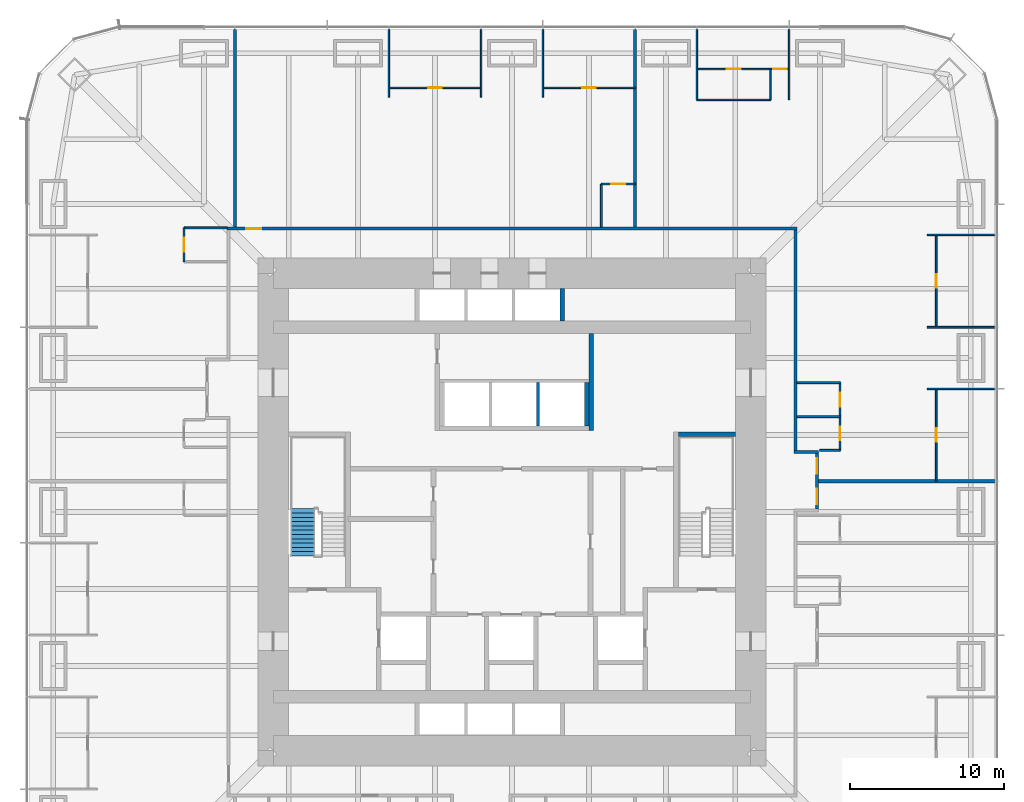
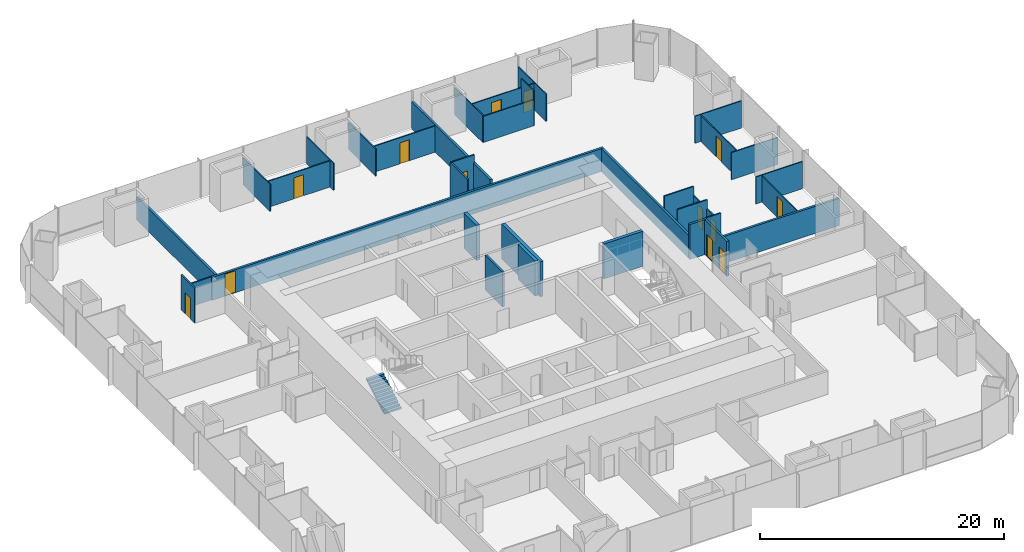
# One storey, part 15 of 17: 35 walls, 13 doors, 1 stair flight, 13 openings, 1 element without a shape of its own.
"""IFC4 building model written with IfcOpenShell, lengths in metres."""

from ifc_helpers import new_model, si_unit, direction, frame, frame_2d, origin, place, context, subcontext, project, spatial, polyline, rectangle, outline, extrude, material, layer, layer_set, type_object, element, fill, aggregate, save


model = new_model("IFC4")

# Units and contexts
model_context = context("Model", 3, precision=1e-05, world=origin(), true_north=direction((0.0, 1.0)))
body_context = subcontext(model_context, "Body", "Model", "MODEL_VIEW")
ifc_project = project(units=[si_unit("LENGTHUNIT", "METRE"), si_unit("AREAUNIT", "SQUARE_METRE"), si_unit("VOLUMEUNIT", "CUBIC_METRE"), si_unit("PLANEANGLEUNIT", "RADIAN"), si_unit("MASSUNIT", "GRAM", prefix="KILO")], contexts=[model_context])

# Site, building, storey
site_placement = place(None, origin())
site = spatial("IfcSite", under=ifc_project, at=site_placement, CompositionType="ELEMENT")
building_placement = place(site_placement, origin())
building = spatial("IfcBuilding", under=site, at=building_placement, Name="Khuree Lantern Residences", CompositionType="ELEMENT")
storey_placement = place(building_placement, frame((0.0, 0.0, 58.5)))
storey = spatial("IfcBuildingStorey", under=building, at=storey_placement, Name="L14", CompositionType="ELEMENT", Elevation=58.5)

# Wall, openings, doors
ifc_material_1 = material(Name="Moisture-resistant gypsum board on steel studs", Category="steel")
ifc_layer_1 = layer(ifc_material_1, 0.125)
ifc_layer_set_1 = layer_set([ifc_layer_1], Name="BATHROOM WALL BTW125")
wall_type_1 = type_object("IfcWallType", Name="BATHROOM WALL BTW125", PredefinedType="PARTITIONING", material=ifc_layer_set_1)
wall_1_placement = place(storey_placement, frame((21.300048828125, 4.0, 0.0), z_axis=(0.0, 0.0, 1.0), x_axis=(0.0, 1.0, 0.0)))
wall_1 = element("IfcWall", 1, at=wall_1_placement, inside=storey, type_object=wall_type_1, Name="L14 BATHROOM WALL 03", PredefinedType="PARTITIONING", context=body_context, shape_type="SweptSolid", body=[
    extrude(rectangle(XDim=4.39990234375, YDim=0.125, at=frame_2d((2.199951171875, 0.0))), origin(), (0.0, 0.0, 1.0), 2.610107421875),
])
opening_1_placement = place(wall_1_placement, frame((0.64990234375, 0.0, 0.0)))
opening_1 = element("IfcOpeningElement", 2, at=opening_1_placement, cuts=wall_1, Name="Opening 14-029", PredefinedType="OPENING", context=body_context, shape_type="SweptSolid", body=[
    extrude(rectangle(XDim=0.89990234375, YDim=2.10009765625, at=frame_2d((0.449951171875, 1.050048828125))), frame((0.0, 0.072509765625, 0.0), z_axis=(0.0, -1.0, 0.0), x_axis=(1.0, 0.0, 0.0)), (0.0, 0.0, 1.0), 0.14501953125),
])
opening_2_placement = place(wall_1_placement, frame((2.85009765625, 0.0, 0.0)))
opening_2 = element("IfcOpeningElement", 3, at=opening_2_placement, cuts=wall_1, Name="Opening 14-030", PredefinedType="OPENING", context=body_context, shape_type="SweptSolid", body=[
    extrude(rectangle(XDim=0.89990234375, YDim=2.10009765625, at=frame_2d((0.449951171875, 1.050048828125))), frame((0.0, 0.072509765625, 0.0), z_axis=(0.0, -1.0, 0.0), x_axis=(1.0, 0.0, 0.0)), (0.0, 0.0, 1.0), 0.14501953125),
])
ifc_material_2 = material(Name="Timber door leaf in hardwood frame", Category="wood")
door_type_1 = type_object("IfcDoorType", Name="BATHROOM DOOR 900X2100", OperationType="SINGLE_SWING_LEFT", PredefinedType="DOOR", material=ifc_material_2)
door_1_placement = place(opening_1_placement, origin())
door_1 = element("IfcDoor", 4, at=door_1_placement, inside=storey, type_object=door_type_1, Name="Bathroom door 14-029", OperationType="SINGLE_SWING_LEFT", OverallHeight=2.10009765625, OverallWidth=0.89990234375, PredefinedType="DOOR", context=body_context, shape_type="SweptSolid", body=[
    extrude(rectangle(XDim=0.89990234375, YDim=2.10009765625, at=frame_2d((0.449951171875, 1.050048828125))), frame((0.0, 0.02490234375, 0.0), z_axis=(0.0, -1.0, 0.0), x_axis=(1.0, 0.0, 0.0)), (0.0, 0.0, 1.0), 0.050048828125),
])
fill(opening_1, door_1)
door_2_placement = place(opening_2_placement, origin())
door_2 = element("IfcDoor", 5, at=door_2_placement, inside=storey, type_object=door_type_1, Name="Bathroom door 14-030", OperationType="SINGLE_SWING_LEFT", OverallHeight=2.10009765625, OverallWidth=0.89990234375, PredefinedType="DOOR", context=body_context, shape_type="SweptSolid", body=[
    extrude(rectangle(XDim=0.89990234375, YDim=2.10009765625, at=frame_2d((0.449951171875, 1.050048828125))), frame((0.0, 0.02490234375, 0.0), z_axis=(0.0, -1.0, 0.0), x_axis=(1.0, 0.0, 0.0)), (0.0, 0.0, 1.0), 0.050048828125),
])
fill(opening_2, door_2)

# Walls
wall_2_placement = place(storey_placement, frame((19.969970703125, 4.0, 0.0), z_axis=(0.0, 0.0, 1.0), x_axis=(1.0, 0.0, 0.0)))
element("IfcWall", 6, at=wall_2_placement, inside=storey, type_object=wall_type_1, Name="L14 BATHROOM WALL 03", PredefinedType="PARTITIONING", context=body_context, shape_type="SweptSolid", body=[
    extrude(rectangle(XDim=1.330078125, YDim=0.125, at=frame_2d((0.6650390625, 0.0))), origin(), (0.0, 0.0, 1.0), 3.5),
])
for number, where, z_axis, x_axis, name in (
    (7, (18.5, 6.199951171875, 0.0), (0.0, 0.0, 1.0), (1.0, 0.0, 0.0), "L14 BATHROOM WALL 03"),
    (8, (18.5, 8.39990234375, 0.0), (0.0, 0.0, 1.0), (1.0, 0.0, 0.0), "L14 BATHROOM WALL 03"),
):
    element("IfcWall", number, at=place(storey_placement, frame(where, z_axis=z_axis, x_axis=x_axis)), inside=storey, type_object=wall_type_1, Name=name, PredefinedType="PARTITIONING", context=body_context, shape_type="SweptSolid", body=[
        extrude(rectangle(XDim=2.800048828125, YDim=0.125, at=frame_2d((1.39990234375, 0.0))), origin(), (0.0, 0.0, 1.0), 3.5),
    ])

# Wall, opening, door
wall_3_placement = place(storey_placement, frame((8.0, 21.300048828125, 0.0), z_axis=(0.0, 0.0, 1.0), x_axis=(-1.0, 0.0, 0.0)))
wall_3 = element("IfcWall", 9, at=wall_3_placement, inside=storey, type_object=wall_type_1, Name="L14 BATHROOM WALL 04", PredefinedType="PARTITIONING", context=body_context, shape_type="SweptSolid", body=[
    extrude(rectangle(XDim=2.199951171875, YDim=0.125, at=frame_2d((1.10009765625, 0.0))), origin(), (0.0, 0.0, 1.0), 3.5),
])
opening_3_placement = place(wall_3_placement, frame((0.64990234375, 0.0, 0.0)))
opening_3 = element("IfcOpeningElement", 10, at=opening_3_placement, cuts=wall_3, Name="Opening 14-034", PredefinedType="OPENING", context=body_context, shape_type="SweptSolid", body=[
    extrude(rectangle(XDim=0.89990234375, YDim=2.10009765625, at=frame_2d((0.449951171875, 1.050048828125))), frame((0.0, 0.072509765625, 0.0), z_axis=(0.0, -1.0, 0.0), x_axis=(1.0, 0.0, 0.0)), (0.0, 0.0, 1.0), 0.14501953125),
])
door_3_placement = place(opening_3_placement, origin())
door_3 = element("IfcDoor", 11, at=door_3_placement, inside=storey, type_object=door_type_1, Name="Bathroom door 14-034", OperationType="SINGLE_SWING_LEFT", OverallHeight=2.10009765625, OverallWidth=0.89990234375, PredefinedType="DOOR", context=body_context, shape_type="SweptSolid", body=[
    extrude(rectangle(XDim=0.89990234375, YDim=2.10009765625, at=frame_2d((0.449951171875, 1.050048828125))), frame((0.0, 0.02490234375, 0.0), z_axis=(0.0, -1.0, 0.0), x_axis=(1.0, 0.0, 0.0)), (0.0, 0.0, 1.0), 0.050048828125),
])
fill(opening_3, door_3)

# Wall
wall_4_placement = place(storey_placement, frame((5.800048828125, 18.5, 0.0), z_axis=(0.0, 0.0, 1.0), x_axis=(0.0, 1.0, 0.0)))
element("IfcWall", 12, at=wall_4_placement, inside=storey, type_object=wall_type_1, Name="L14 BATHROOM WALL 04", PredefinedType="PARTITIONING", context=body_context, shape_type="SweptSolid", body=[
    extrude(rectangle(XDim=2.800048828125, YDim=0.125, at=frame_2d((1.39990234375, 0.0))), origin(), (0.0, 0.0, 1.0), 3.5),
])

# Wall, opening, door
wall_5_placement = place(storey_placement, frame((-21.300048828125, 18.449951171875, 0.0), z_axis=(0.0, 0.0, 1.0), x_axis=(0.0, -1.0, 0.0)))
wall_5 = element("IfcWall", 13, at=wall_5_placement, inside=storey, type_object=wall_type_1, Name="L14 BATHROOM WALL 05", PredefinedType="PARTITIONING", context=body_context, shape_type="SweptSolid", body=[
    extrude(rectangle(XDim=2.199951171875, YDim=0.125, at=frame_2d((1.10009765625, 0.0))), origin(), (0.0, 0.0, 1.0), 3.5),
])
opening_4_placement = place(wall_5_placement, frame((0.64990234375, 0.0, 0.0)))
opening_4 = element("IfcOpeningElement", 14, at=opening_4_placement, cuts=wall_5, Name="Opening 14-037", PredefinedType="OPENING", context=body_context, shape_type="SweptSolid", body=[
    extrude(rectangle(XDim=0.89990234375, YDim=2.10009765625, at=frame_2d((0.449951171875, 1.050048828125))), frame((0.0, 0.072509765625, 0.0), z_axis=(0.0, -1.0, 0.0), x_axis=(1.0, 0.0, 0.0)), (0.0, 0.0, 1.0), 0.14501953125),
])
door_4_placement = place(opening_4_placement, origin())
door_4 = element("IfcDoor", 15, at=door_4_placement, inside=storey, type_object=door_type_1, Name="Bathroom door 14-037", OperationType="SINGLE_SWING_LEFT", OverallHeight=2.10009765625, OverallWidth=0.89990234375, PredefinedType="DOOR", context=body_context, shape_type="SweptSolid", body=[
    extrude(rectangle(XDim=0.89990234375, YDim=2.10009765625, at=frame_2d((0.449951171875, 1.050048828125))), frame((0.0, 0.02490234375, 0.0), z_axis=(0.0, -1.0, 0.0), x_axis=(1.0, 0.0, 0.0)), (0.0, 0.0, 1.0), 0.050048828125),
])
fill(opening_4, door_4)

# Walls
wall_6_placement = place(storey_placement, frame((-18.5, 18.449951171875, 0.0), z_axis=(0.0, 0.0, 1.0), x_axis=(-1.0, 0.0, 0.0)))
element("IfcWall", 16, at=wall_6_placement, inside=storey, type_object=wall_type_1, Name="L14 BATHROOM WALL 05", PredefinedType="PARTITIONING", context=body_context, shape_type="SweptSolid", body=[
    extrude(rectangle(XDim=2.800048828125, YDim=0.125, at=frame_2d((1.39990234375, 0.0))), origin(), (0.0, 0.0, 1.0), 2.300048828125),
])
ifc_material_3 = material(Name="Dense concrete blockwork", Category="masonry")
ifc_layer_2 = layer(ifc_material_3, 0.300048828125)
ifc_layer_set_2 = layer_set([ifc_layer_2], Name="CORE PARTITION WALL CPW300 EI 120")
wall_type_2 = type_object("IfcWallType", Name="CORE PARTITION WALL CPW300 EI 120", PredefinedType="PARTITIONING", material=ifc_layer_set_2)
wall_7_placement = place(storey_placement, frame((4.85009765625, 5.60009765625, 0.0), z_axis=(0.0, 0.0, 1.0), x_axis=(0.0, 1.0, 0.0)))
element("IfcWall", 17, at=wall_7_placement, inside=storey, type_object=wall_type_2, Name="L14 CORE WALL PHE", PredefinedType="PARTITIONING", context=body_context, shape_type="SweptSolid", body=[
    extrude(rectangle(XDim=2.7998046875, YDim=0.300048828125, at=frame_2d((1.39990234375, 0.0))), origin(), (0.0, 0.0, 1.0), 3.5),
])
wall_8_placement = place(storey_placement, frame((3.25, 12.39990234375, 0.0), z_axis=(0.0, 0.0, 1.0), x_axis=(0.0, 1.0, 0.0)))
element("IfcWall", 18, at=wall_8_placement, inside=storey, type_object=wall_type_2, Name="L14 CORE WALL PLE", PredefinedType="PARTITIONING", context=body_context, shape_type="SweptSolid", body=[
    extrude(rectangle(XDim=2.10009765625, YDim=0.300048828125, at=frame_2d((1.050048828125, 0.0))), origin(), (0.0, 0.0, 1.0), 3.5),
])
wall_9_placement = place(storey_placement, frame((5.14990234375, 5.300048828125, 0.0), z_axis=(0.0, 0.0, 1.0), x_axis=(0.0, 1.0, 0.0)))
element("IfcWall", 19, at=wall_9_placement, inside=storey, type_object=wall_type_2, Name="L14 CORE WALL NE", PredefinedType="PARTITIONING", context=body_context, shape_type="SweptSolid", body=[
    extrude(rectangle(XDim=6.300048828125, YDim=0.300048828125, at=frame_2d((3.14990234375, 0.0))), origin(), (0.0, 0.0, 1.0), 3.5),
])
ifc_material_4 = material(Name="Gypsum board on steel studs", Category="steel")
ifc_layer_3 = layer(ifc_material_4, 0.199951171875)
ifc_layer_set_3 = layer_set([ifc_layer_3], Name="CORRIDOR WALL CRW200 EI 60")
wall_type_3 = type_object("IfcWallType", Name="CORRIDOR WALL CRW200 EI 60", PredefinedType="PARTITIONING", material=ifc_layer_set_3)
wall_10_placement = place(storey_placement, frame((18.300048828125, 3.89990234375, 0.0), z_axis=(0.0, 0.0, 1.0), x_axis=(1.0, 0.0, 0.0)))
element("IfcWall", 20, at=wall_10_placement, inside=storey, type_object=wall_type_3, Name="L14 CORRIDOR ALCOVE WALL EAST", PredefinedType="PARTITIONING", context=body_context, shape_type="SweptSolid", body=[
    extrude(rectangle(XDim=1.599853515625, YDim=0.199951171875, at=frame_2d((0.7998046875, 0.0))), origin(), (0.0, 0.0, 1.0), 3.5),
])

# Wall, openings, doors
wall_11_placement = place(storey_placement, frame((19.800048828125, 0.199951171875, 0.0), z_axis=(0.0, 0.0, 1.0), x_axis=(0.0, 1.0, 0.0)))
wall_11 = element("IfcWall", 21, at=wall_11_placement, inside=storey, type_object=wall_type_3, Name="L14 CORRIDOR ALCOVE WALL EAST", PredefinedType="PARTITIONING", context=body_context, shape_type="SweptSolid", body=[
    extrude(rectangle(XDim=3.60009765625, YDim=0.199951171875, at=frame_2d((1.800048828125, 0.0))), origin(), (0.0, 0.0, 1.0), 3.5),
])
opening_5_placement = place(wall_11_placement, frame((0.300048828125, 0.0, 0.0)))
opening_5 = element("IfcOpeningElement", 22, at=opening_5_placement, cuts=wall_11, Name="Opening 14-024", PredefinedType="OPENING", context=body_context, shape_type="SweptSolid", body=[
    extrude(rectangle(XDim=1.0, YDim=2.199951171875, at=frame_2d((0.5, 1.10009765625))), frame((0.0, 0.10986328125, 0.0), z_axis=(0.0, -1.0, 0.0), x_axis=(1.0, 0.0, 0.0)), (0.0, 0.0, 1.0), 0.219970703125),
])
opening_6_placement = place(wall_11_placement, frame((2.300048828125, 0.0, 0.0)))
opening_6 = element("IfcOpeningElement", 23, at=opening_6_placement, cuts=wall_11, Name="Opening 14-031", PredefinedType="OPENING", context=body_context, shape_type="SweptSolid", body=[
    extrude(rectangle(XDim=1.0, YDim=2.199951171875, at=frame_2d((0.5, 1.10009765625))), frame((0.0, 0.10986328125, 0.0), z_axis=(0.0, -1.0, 0.0), x_axis=(1.0, 0.0, 0.0)), (0.0, 0.0, 1.0), 0.219970703125),
])
door_type_2 = type_object("IfcDoorType", Name="APARTMENT ENTRANCE DOOR 1000X2200 EI 30S", OperationType="SINGLE_SWING_LEFT", PredefinedType="DOOR", material=ifc_material_2)
door_5_placement = place(opening_5_placement, origin())
door_5 = element("IfcDoor", 24, at=door_5_placement, inside=storey, type_object=door_type_2, Name="Apartment 02 entrance door 14-024", OperationType="SINGLE_SWING_LEFT", OverallHeight=2.199951171875, OverallWidth=1.0, PredefinedType="DOOR", context=body_context, shape_type="SweptSolid", body=[
    extrude(rectangle(XDim=1.0, YDim=2.199951171875, at=frame_2d((0.5, 1.10009765625))), frame((0.0, 0.02490234375, 0.0), z_axis=(0.0, -1.0, 0.0), x_axis=(1.0, 0.0, 0.0)), (0.0, 0.0, 1.0), 0.050048828125),
])
fill(opening_5, door_5)
door_type_3 = type_object("IfcDoorType", Name="APARTMENT ENTRANCE DOOR 1000X2200 EI 30S RIGHT HAND", OperationType="SINGLE_SWING_RIGHT", PredefinedType="DOOR", material=ifc_material_2)
door_6_placement = place(opening_6_placement, origin())
door_6 = element("IfcDoor", 25, at=door_6_placement, inside=storey, type_object=door_type_3, Name="Apartment 03 entrance door 14-031", OperationType="SINGLE_SWING_RIGHT", OverallHeight=2.199951171875, OverallWidth=1.0, PredefinedType="DOOR", context=body_context, shape_type="SweptSolid", body=[
    extrude(rectangle(XDim=1.0, YDim=2.199951171875, at=frame_2d((0.5, 1.10009765625))), frame((0.0, 0.02490234375, 0.0), z_axis=(0.0, -1.0, 0.0), x_axis=(1.0, 0.0, 0.0)), (0.0, 0.0, 1.0), 0.050048828125),
])
fill(opening_6, door_6)

# Wall
wall_12_placement = place(storey_placement, frame((18.39990234375, 4.0, 0.0), z_axis=(0.0, 0.0, 1.0), x_axis=(0.0, 1.0, 0.0)))
element("IfcWall", 26, at=wall_12_placement, inside=storey, type_object=wall_type_3, Name="L14 CORRIDOR WALL EAST 3", PredefinedType="PARTITIONING", context=body_context, shape_type="SweptSolid", body=[
    extrude(rectangle(XDim=14.300048828125, YDim=0.199951171875, at=frame_2d((7.14990234375, 0.0))), origin(), (0.0, 0.0, 1.0), 2.300048828125),
])

# Wall, opening, door
wall_13_placement = place(storey_placement, frame((-18.5, 18.39990234375, 0.0), z_axis=(0.0, 0.0, 1.0), x_axis=(1.0, 0.0, 0.0)))
wall_13 = element("IfcWall", 27, at=wall_13_placement, inside=storey, type_object=wall_type_3, Name="L14 CORRIDOR WALL NORTH 1", PredefinedType="PARTITIONING", context=body_context, shape_type="SweptSolid", body=[
    extrude(rectangle(XDim=37.0, YDim=0.199951171875, at=frame_2d((18.5, 0.0))), origin(), (0.0, 0.0, 1.0), 2.300048828125),
])
opening_7_placement = place(wall_13_placement, frame((1.22998046875, 0.0, 0.0)))
opening_7 = element("IfcOpeningElement", 28, at=opening_7_placement, cuts=wall_13, Name="Opening 14-035", PredefinedType="OPENING", context=body_context, shape_type="SweptSolid", body=[
    extrude(rectangle(XDim=1.0, YDim=2.199951171875, at=frame_2d((0.5, 1.10009765625))), frame((0.0, 0.10986328125, 0.0), z_axis=(0.0, -1.0, 0.0), x_axis=(1.0, 0.0, 0.0)), (0.0, 0.0, 1.0), 0.219970703125),
])
door_7_placement = place(opening_7_placement, origin())
door_7 = element("IfcDoor", 29, at=door_7_placement, inside=storey, type_object=door_type_2, Name="Apartment 04 entrance door 14-035", OperationType="SINGLE_SWING_LEFT", OverallHeight=2.199951171875, OverallWidth=1.0, PredefinedType="DOOR", context=body_context, shape_type="SweptSolid", body=[
    extrude(rectangle(XDim=1.0, YDim=2.199951171875, at=frame_2d((0.5, 1.10009765625))), frame((0.0, 0.02490234375, 0.0), z_axis=(0.0, -1.0, 0.0), x_axis=(1.0, 0.0, 0.0)), (0.0, 0.0, 1.0), 0.050048828125),
])
fill(opening_7, door_7)

# Walls
ifc_layer_4 = layer(ifc_material_4, 0.199951171875)
ifc_layer_set_4 = layer_set([ifc_layer_4], Name="DEMISING WALL DMW200 EI 90")
wall_type_4 = type_object("IfcWallType", Name="DEMISING WALL DMW200 EI 90", PredefinedType="PARTITIONING", material=ifc_layer_set_4)
wall_14_placement = place(storey_placement, frame((19.89990234375, 2.0, 0.0), z_axis=(0.0, 0.0, 1.0), x_axis=(1.0, 0.0, 0.0)))
element("IfcWall", 30, at=wall_14_placement, inside=storey, type_object=wall_type_4, Name="L14 DEMISING WALL 03", PredefinedType="PARTITIONING", context=body_context, shape_type="SweptSolid", body=[
    extrude(rectangle(XDim=11.4501953125, YDim=0.199951171875, at=frame_2d((5.72509765625, 0.0))), origin(), (0.0, 0.0, 1.0), 2.7099609375),
])
wall_15_placement = place(storey_placement, frame((8.0, 18.5, 0.0), z_axis=(0.0, 0.0, 1.0), x_axis=(0.0, 1.0, 0.0)))
element("IfcWall", 31, at=wall_15_placement, inside=storey, type_object=wall_type_4, Name="L14 DEMISING WALL 04", PredefinedType="PARTITIONING", context=body_context, shape_type="SweptSolid", body=[
    extrude(rectangle(XDim=12.85009765625, YDim=0.199951171875, at=frame_2d((6.425048828125, 0.0))), origin(), (0.0, 0.0, 1.0), 2.7099609375),
])
wall_16_placement = place(storey_placement, frame((-18.0, 18.5, 0.0), z_axis=(0.0, 0.0, 1.0), x_axis=(0.0, 1.0, 0.0)))
element("IfcWall", 32, at=wall_16_placement, inside=storey, type_object=wall_type_4, Name="L14 DEMISING WALL 05", PredefinedType="PARTITIONING", context=body_context, shape_type="SweptSolid", body=[
    extrude(rectangle(XDim=12.85009765625, YDim=0.199951171875, at=frame_2d((6.425048828125, 0.0))), origin(), (0.0, 0.0, 1.0), 2.300048828125),
])
ifc_layer_5 = layer(ifc_material_4, 0.10009765625)
ifc_layer_set_5 = layer_set([ifc_layer_5], Name="PARTITION PT100")
wall_type_5 = type_object("IfcWallType", Name="PARTITION PT100", PredefinedType="PARTITIONING", material=ifc_layer_set_5)
for number, where, z_axis, x_axis, name in (
    (33, (26.949951171875, 8.0, 0.0), (0.0, 0.0, 1.0), (1.0, 0.0, 0.0), "L14 PARTITION 03"),
    (34, (26.949951171875, 12.0, 0.0), (0.0, 0.0, 1.0), (1.0, 0.0, 0.0), "L14 PARTITION 03"),
    (35, (26.949951171875, 18.0, 0.0), (0.0, 0.0, 1.0), (1.0, 0.0, 0.0), "L14 PARTITION 03"),
):
    element("IfcWall", number, at=place(storey_placement, frame(where, z_axis=z_axis, x_axis=x_axis)), inside=storey, type_object=wall_type_5, Name=name, PredefinedType="PARTITIONING", context=body_context, shape_type="SweptSolid", body=[
        extrude(rectangle(XDim=4.400146484375, YDim=0.10009765625, at=frame_2d((2.2001953125, 0.0))), origin(), (0.0, 0.0, 1.0), 2.7099609375),
    ])
for number, where, z_axis, x_axis, name in (
    (36, (18.0, 26.7666015625, 0.0), (0.0, 0.0, 1.0), (0.0, 1.0, 0.0), "L14 PARTITION 03"),
    (37, (12.0, 26.7666015625, 0.0), (0.0, 0.0, 1.0), (0.0, 1.0, 0.0), "L14 PARTITION 03"),
):
    element("IfcWall", number, at=place(storey_placement, frame(where, z_axis=z_axis, x_axis=x_axis)), inside=storey, type_object=wall_type_5, Name=name, PredefinedType="PARTITIONING", context=body_context, shape_type="SweptSolid", body=[
        extrude(rectangle(XDim=4.58349609375, YDim=0.10009765625, at=frame_2d((2.291748046875, 0.0))), origin(), (0.0, 0.0, 1.0), 2.7099609375),
    ])
for number, where, z_axis, x_axis, name in (
    (38, (2.0, 26.949951171875, 0.0), (0.0, 0.0, 1.0), (0.0, 1.0, 0.0), "L14 PARTITION 04"),
    (39, (-2.0, 26.949951171875, 0.0), (0.0, 0.0, 1.0), (0.0, 1.0, 0.0), "L14 PARTITION 04"),
    (40, (-8.0, 26.949951171875, 0.0), (0.0, 0.0, 1.0), (0.0, 1.0, 0.0), "L14 PARTITION 04"),
):
    element("IfcWall", number, at=place(storey_placement, frame(where, z_axis=z_axis, x_axis=x_axis)), inside=storey, type_object=wall_type_5, Name=name, PredefinedType="PARTITIONING", context=body_context, shape_type="SweptSolid", body=[
        extrude(rectangle(XDim=4.400146484375, YDim=0.10009765625, at=frame_2d((2.2001953125, 0.0))), origin(), (0.0, 0.0, 1.0), 2.7099609375),
    ])

# Wall, opening, door
wall_17_placement = place(storey_placement, frame((27.550048828125, 2.0, 0.0), z_axis=(0.0, 0.0, 1.0), x_axis=(0.0, 1.0, 0.0)))
wall_17 = element("IfcWall", 41, at=wall_17_placement, inside=storey, type_object=wall_type_5, Name="L14 PARTITION 03", PredefinedType="PARTITIONING", context=body_context, shape_type="SweptSolid", body=[
    extrude(rectangle(XDim=6.0, YDim=0.10009765625, at=frame_2d((3.0, 0.0))), origin(), (0.0, 0.0, 1.0), 2.610107421875),
])
opening_8_placement = place(wall_17_placement, frame((2.550048828125, 0.0, 0.0)))
opening_8 = element("IfcOpeningElement", 42, at=opening_8_placement, cuts=wall_17, Name="Opening 14-025", PredefinedType="OPENING", context=body_context, shape_type="SweptSolid", body=[
    extrude(rectangle(XDim=0.89990234375, YDim=2.10009765625, at=frame_2d((0.449951171875, 1.050048828125))), frame((0.0, 0.06005859375, 0.0), z_axis=(0.0, -1.0, 0.0), x_axis=(1.0, 0.0, 0.0)), (0.0, 0.0, 1.0), 0.1201171875),
])
door_type_4 = type_object("IfcDoorType", Name="BEDROOM DOOR 900X2100", OperationType="SINGLE_SWING_LEFT", PredefinedType="DOOR", material=ifc_material_2)
door_8_placement = place(opening_8_placement, origin())
door_8 = element("IfcDoor", 43, at=door_8_placement, inside=storey, type_object=door_type_4, Name="Bedroom door 14-025", OperationType="SINGLE_SWING_LEFT", OverallHeight=2.10009765625, OverallWidth=0.89990234375, PredefinedType="DOOR", context=body_context, shape_type="SweptSolid", body=[
    extrude(rectangle(XDim=0.89990234375, YDim=2.10009765625, at=frame_2d((0.449951171875, 1.050048828125))), frame((0.0, 0.02490234375, 0.0), z_axis=(0.0, -1.0, 0.0), x_axis=(1.0, 0.0, 0.0)), (0.0, 0.0, 1.0), 0.050048828125),
])
fill(opening_8, door_8)

wall_18_placement = place(storey_placement, frame((27.550048828125, 12.0, 0.0), z_axis=(0.0, 0.0, 1.0), x_axis=(0.0, 1.0, 0.0)))
wall_18 = element("IfcWall", 44, at=wall_18_placement, inside=storey, type_object=wall_type_5, Name="L14 PARTITION 03", PredefinedType="PARTITIONING", context=body_context, shape_type="SweptSolid", body=[
    extrude(rectangle(XDim=6.0, YDim=0.10009765625, at=frame_2d((3.0, 0.0))), origin(), (0.0, 0.0, 1.0), 2.610107421875),
])
opening_9_placement = place(wall_18_placement, frame((2.550048828125, 0.0, 0.0)))
opening_9 = element("IfcOpeningElement", 45, at=opening_9_placement, cuts=wall_18, Name="Opening 14-026", PredefinedType="OPENING", context=body_context, shape_type="SweptSolid", body=[
    extrude(rectangle(XDim=0.89990234375, YDim=2.10009765625, at=frame_2d((0.449951171875, 1.050048828125))), frame((0.0, 0.06005859375, 0.0), z_axis=(0.0, -1.0, 0.0), x_axis=(1.0, 0.0, 0.0)), (0.0, 0.0, 1.0), 0.1201171875),
])
door_9_placement = place(opening_9_placement, origin())
door_9 = element("IfcDoor", 46, at=door_9_placement, inside=storey, type_object=door_type_4, Name="Bedroom door 14-026", OperationType="SINGLE_SWING_LEFT", OverallHeight=2.10009765625, OverallWidth=0.89990234375, PredefinedType="DOOR", context=body_context, shape_type="SweptSolid", body=[
    extrude(rectangle(XDim=0.89990234375, YDim=2.10009765625, at=frame_2d((0.449951171875, 1.050048828125))), frame((0.0, 0.02490234375, 0.0), z_axis=(0.0, -1.0, 0.0), x_axis=(1.0, 0.0, 0.0)), (0.0, 0.0, 1.0), 0.050048828125),
])
fill(opening_9, door_9)

# Wall, openings, doors
wall_19_placement = place(storey_placement, frame((18.0, 28.7666015625, 0.0), z_axis=(0.0, 0.0, 1.0), x_axis=(-1.0, 0.0, 0.0)))
wall_19 = element("IfcWall", 47, at=wall_19_placement, inside=storey, type_object=wall_type_5, Name="L14 PARTITION 03", PredefinedType="PARTITIONING", context=body_context, shape_type="SweptSolid", body=[
    extrude(rectangle(XDim=6.0, YDim=0.10009765625, at=frame_2d((3.0, 0.0))), origin(), (0.0, 0.0, 1.0), 2.610107421875),
])
opening_10_placement = place(wall_19_placement, frame((0.14990234375, 0.0, 0.0)))
opening_10 = element("IfcOpeningElement", 48, at=opening_10_placement, cuts=wall_19, Name="Opening 14-027", PredefinedType="OPENING", context=body_context, shape_type="SweptSolid", body=[
    extrude(rectangle(XDim=0.89990234375, YDim=2.10009765625, at=frame_2d((0.449951171875, 1.050048828125))), frame((0.0, 0.06005859375, 0.0), z_axis=(0.0, -1.0, 0.0), x_axis=(1.0, 0.0, 0.0)), (0.0, 0.0, 1.0), 0.1201171875),
])
opening_11_placement = place(wall_19_placement, frame((3.14990234375, 0.0, 0.0)))
opening_11 = element("IfcOpeningElement", 49, at=opening_11_placement, cuts=wall_19, Name="Opening 14-028", PredefinedType="OPENING", context=body_context, shape_type="SweptSolid", body=[
    extrude(rectangle(XDim=0.89990234375, YDim=2.10009765625, at=frame_2d((0.449951171875, 1.050048828125))), frame((0.0, 0.06005859375, 0.0), z_axis=(0.0, -1.0, 0.0), x_axis=(1.0, 0.0, 0.0)), (0.0, 0.0, 1.0), 0.1201171875),
])
door_10_placement = place(opening_10_placement, origin())
door_10 = element("IfcDoor", 50, at=door_10_placement, inside=storey, type_object=door_type_4, Name="Bedroom door 14-027", OperationType="SINGLE_SWING_LEFT", OverallHeight=2.10009765625, OverallWidth=0.89990234375, PredefinedType="DOOR", context=body_context, shape_type="SweptSolid", body=[
    extrude(rectangle(XDim=0.89990234375, YDim=2.10009765625, at=frame_2d((0.449951171875, 1.050048828125))), frame((0.0, 0.02490234375, 0.0), z_axis=(0.0, -1.0, 0.0), x_axis=(1.0, 0.0, 0.0)), (0.0, 0.0, 1.0), 0.050048828125),
])
fill(opening_10, door_10)
door_type_5 = type_object("IfcDoorType", Name="DOOR 900X2100", OperationType="SINGLE_SWING_LEFT", PredefinedType="DOOR", material=ifc_material_2)
door_11_placement = place(opening_11_placement, origin())
door_11 = element("IfcDoor", 51, at=door_11_placement, inside=storey, type_object=door_type_5, Name="Wardrobe door 14-028", OperationType="SINGLE_SWING_LEFT", OverallHeight=2.10009765625, OverallWidth=0.89990234375, PredefinedType="DOOR", context=body_context, shape_type="SweptSolid", body=[
    extrude(rectangle(XDim=0.89990234375, YDim=2.10009765625, at=frame_2d((0.449951171875, 1.050048828125))), frame((0.0, 0.02490234375, 0.0), z_axis=(0.0, -1.0, 0.0), x_axis=(1.0, 0.0, 0.0)), (0.0, 0.0, 1.0), 0.050048828125),
])
fill(opening_11, door_11)

# Walls
wall_20_placement = place(storey_placement, frame((16.800048828125, 26.7666015625, 0.0), z_axis=(0.0, 0.0, 1.0), x_axis=(0.0, 1.0, 0.0)))
element("IfcWall", 52, at=wall_20_placement, inside=storey, type_object=wall_type_5, Name="L14 PARTITION 03", PredefinedType="PARTITIONING", context=body_context, shape_type="SweptSolid", body=[
    extrude(rectangle(XDim=2.0, YDim=0.10009765625, at=frame_2d((1.0, 0.0))), origin(), (0.0, 0.0, 1.0), 3.5),
])
wall_21_placement = place(storey_placement, frame((16.800048828125, 26.7666015625, 0.0), z_axis=(0.0, 0.0, 1.0), x_axis=(-1.0, 0.0, 0.0)))
element("IfcWall", 53, at=wall_21_placement, inside=storey, type_object=wall_type_5, Name="L14 PARTITION 03", PredefinedType="PARTITIONING", context=body_context, shape_type="SweptSolid", body=[
    extrude(rectangle(XDim=4.800048828125, YDim=0.10009765625, at=frame_2d((2.39990234375, 0.0))), origin(), (0.0, 0.0, 1.0), 2.610107421875),
])

# Wall, opening, door
wall_22_placement = place(storey_placement, frame((8.0, 27.550048828125, 0.0), z_axis=(0.0, 0.0, 1.0), x_axis=(-1.0, 0.0, 0.0)))
wall_22 = element("IfcWall", 54, at=wall_22_placement, inside=storey, type_object=wall_type_5, Name="L14 PARTITION 04", PredefinedType="PARTITIONING", context=body_context, shape_type="SweptSolid", body=[
    extrude(rectangle(XDim=6.0, YDim=0.10009765625, at=frame_2d((3.0, 0.0))), origin(), (0.0, 0.0, 1.0), 2.610107421875),
])
opening_12_placement = place(wall_22_placement, frame((2.550048828125, 0.0, 0.0)))
opening_12 = element("IfcOpeningElement", 55, at=opening_12_placement, cuts=wall_22, Name="Opening 14-032", PredefinedType="OPENING", context=body_context, shape_type="SweptSolid", body=[
    extrude(rectangle(XDim=0.89990234375, YDim=2.10009765625, at=frame_2d((0.449951171875, 1.050048828125))), frame((0.0, 0.06005859375, 0.0), z_axis=(0.0, -1.0, 0.0), x_axis=(1.0, 0.0, 0.0)), (0.0, 0.0, 1.0), 0.1201171875),
])
door_12_placement = place(opening_12_placement, origin())
door_12 = element("IfcDoor", 56, at=door_12_placement, inside=storey, type_object=door_type_4, Name="Bedroom door 14-032", OperationType="SINGLE_SWING_LEFT", OverallHeight=2.10009765625, OverallWidth=0.89990234375, PredefinedType="DOOR", context=body_context, shape_type="SweptSolid", body=[
    extrude(rectangle(XDim=0.89990234375, YDim=2.10009765625, at=frame_2d((0.449951171875, 1.050048828125))), frame((0.0, 0.02490234375, 0.0), z_axis=(0.0, -1.0, 0.0), x_axis=(1.0, 0.0, 0.0)), (0.0, 0.0, 1.0), 0.050048828125),
])
fill(opening_12, door_12)

wall_23_placement = place(storey_placement, frame((-2.0, 27.550048828125, 0.0), z_axis=(0.0, 0.0, 1.0), x_axis=(-1.0, 0.0, 0.0)))
wall_23 = element("IfcWall", 57, at=wall_23_placement, inside=storey, type_object=wall_type_5, Name="L14 PARTITION 04", PredefinedType="PARTITIONING", context=body_context, shape_type="SweptSolid", body=[
    extrude(rectangle(XDim=6.0, YDim=0.10009765625, at=frame_2d((3.0, 0.0))), origin(), (0.0, 0.0, 1.0), 2.610107421875),
])
opening_13_placement = place(wall_23_placement, frame((2.550048828125, 0.0, 0.0)))
opening_13 = element("IfcOpeningElement", 58, at=opening_13_placement, cuts=wall_23, Name="Opening 14-033", PredefinedType="OPENING", context=body_context, shape_type="SweptSolid", body=[
    extrude(rectangle(XDim=0.89990234375, YDim=2.10009765625, at=frame_2d((0.449951171875, 1.050048828125))), frame((0.0, 0.06005859375, 0.0), z_axis=(0.0, -1.0, 0.0), x_axis=(1.0, 0.0, 0.0)), (0.0, 0.0, 1.0), 0.1201171875),
])
door_13_placement = place(opening_13_placement, origin())
door_13 = element("IfcDoor", 59, at=door_13_placement, inside=storey, type_object=door_type_4, Name="Bedroom door 14-033", OperationType="SINGLE_SWING_LEFT", OverallHeight=2.10009765625, OverallWidth=0.89990234375, PredefinedType="DOOR", context=body_context, shape_type="SweptSolid", body=[
    extrude(rectangle(XDim=0.89990234375, YDim=2.10009765625, at=frame_2d((0.449951171875, 1.050048828125))), frame((0.0, 0.02490234375, 0.0), z_axis=(0.0, -1.0, 0.0), x_axis=(1.0, 0.0, 0.0)), (0.0, 0.0, 1.0), 0.050048828125),
])
fill(opening_13, door_13)

# Walls
ifc_layer_6 = layer(ifc_material_3, 0.199951171875)
ifc_layer_set_6 = layer_set([ifc_layer_6], Name="SHAFT WALL SHW200 EI 120")
wall_type_6 = type_object("IfcWallType", Name="SHAFT WALL SHW200 EI 120", PredefinedType="PARTITIONING", material=ifc_layer_set_6)
wall_24_placement = place(storey_placement, frame((1.699951171875, 5.60009765625, 0.0), z_axis=(0.0, 0.0, 1.0), x_axis=(0.0, 1.0, 0.0)))
element("IfcWall", 60, at=wall_24_placement, inside=storey, type_object=wall_type_6, Name="L14 CORE WALL PHD2", PredefinedType="PARTITIONING", context=body_context, shape_type="SweptSolid", body=[
    extrude(rectangle(XDim=2.7998046875, YDim=0.199951171875, at=frame_2d((1.39990234375, 0.0))), origin(), (0.0, 0.0, 1.0), 3.5),
])
ifc_material_5 = material(Name="Concrete C50/60", Category="concrete")
ifc_layer_7 = layer(ifc_material_5, 0.300048828125)
ifc_layer_set_7 = layer_set([ifc_layer_7], Name="STAIR WALL SRW300 C50/60 REI 240")
wall_type_7 = type_object("IfcWallType", Name="STAIR WALL SRW300 C50/60 REI 240", PredefinedType="SOLIDWALL", material=ifc_layer_set_7)
wall_25_placement = place(storey_placement, frame((14.5, 5.050048828125, 0.0), z_axis=(0.0, 0.0, 1.0), x_axis=(-1.0, 0.0, 0.0)))
element("IfcWall", 61, at=wall_25_placement, inside=storey, type_object=wall_type_7, Name="L14 STAIR WALL ST2N", PredefinedType="SOLIDWALL", context=body_context, shape_type="SweptSolid", body=[
    extrude(rectangle(XDim=3.699951171875, YDim=0.300048828125, at=frame_2d((1.85009765625, 0.0))), origin(), (0.0, 0.0, 1.0), 3.5),
])

# Stair, stair flight
ifc_material_6 = material(Name="Concrete C40/50", Category="concrete")
stair_type = type_object("IfcStairType", Name="STAIR ST1 HALF TURN 3600", PredefinedType="HALF_TURN_STAIR", material=ifc_material_6)
stair_placement = place(storey_placement, origin())
stair = element("IfcStair", 62, at=stair_placement, inside=storey, type_object=stair_type, Name="Stair ST1", PredefinedType="HALF_TURN_STAIR")
stair_flight_type = type_object("IfcStairFlightType", Name="STAIR FLIGHT SF1 1600", PredefinedType="STRAIGHT", material=ifc_material_6)
stair_flight_placement = place(storey_placement, frame((-13.60009765625, -2.860107421875, 0.0), z_axis=(0.0, 0.0, 1.0), x_axis=(0.0, 1.0, 0.0)))
stair_flight = element("IfcStairFlight", 63, at=stair_flight_placement, type_object=stair_flight_type, Name="ST1 flight 1", NumberOfRisers=12, NumberOfTreads=11, PredefinedType="STRAIGHT", RiserHeight=0.163043478, TreadLength=0.28, context=body_context, shape_type="SweptSolid", body=[
    extrude(outline(polyline([(0.0, 0.0), (0.0, 0.1630859375), (0.280029296875, 0.1630859375), (0.280029296875, 0.326171875), (0.56005859375, 0.326171875), (0.56005859375, 0.489013671875), (0.840087890625, 0.489013671875), (0.840087890625, 0.652099609375), (1.1201171875, 0.652099609375), (1.1201171875, 0.815185546875), (1.39990234375, 0.815185546875), (1.39990234375, 0.978271484375), (1.679931640625, 0.978271484375), (1.679931640625, 1.141357421875), (1.9599609375, 1.141357421875), (1.9599609375, 1.304443359375), (2.239990234375, 1.304443359375), (2.239990234375, 1.46728515625), (2.52001953125, 1.46728515625), (2.52001953125, 1.63037109375), (2.800048828125, 1.63037109375), (2.800048828125, 1.79345703125), (3.080078125, 1.79345703125), (3.080078125, 1.95654296875), (3.080078125, 1.6201171875), (0.2978515625, 0.0), (0.0, 0.0)])), frame((0.0, 0.800048828125, 0.0), z_axis=(0.0, -1.0, 0.0), x_axis=(1.0, 0.0, 0.0)), (0.0, 0.0, 1.0), 1.60009765625),
])
aggregate(stair, [stair_flight])

save(model, "model.ifc")
